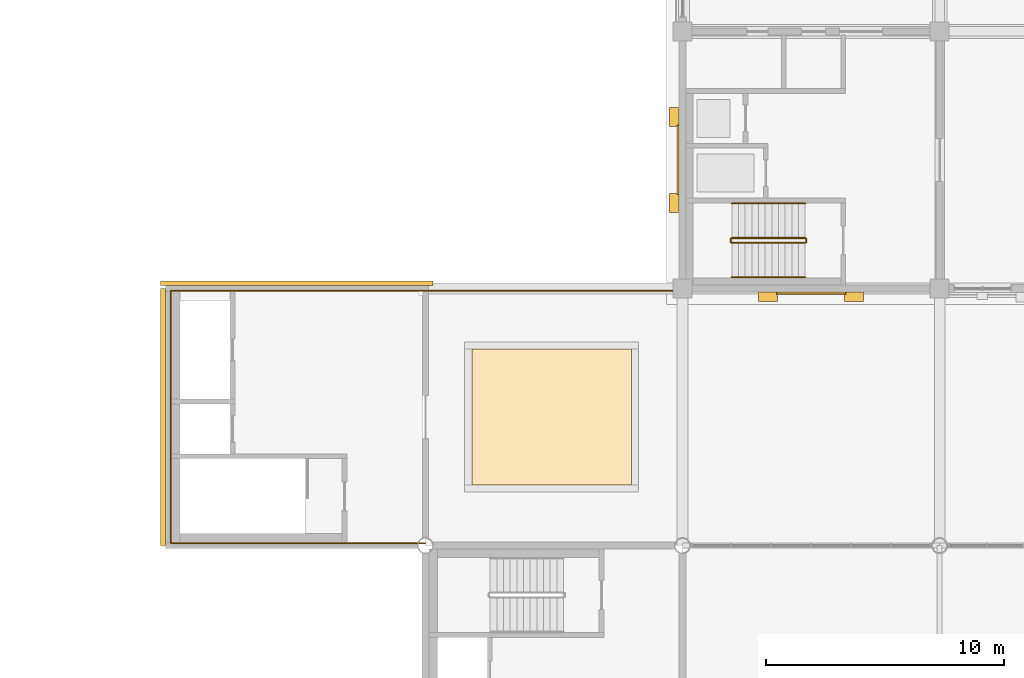
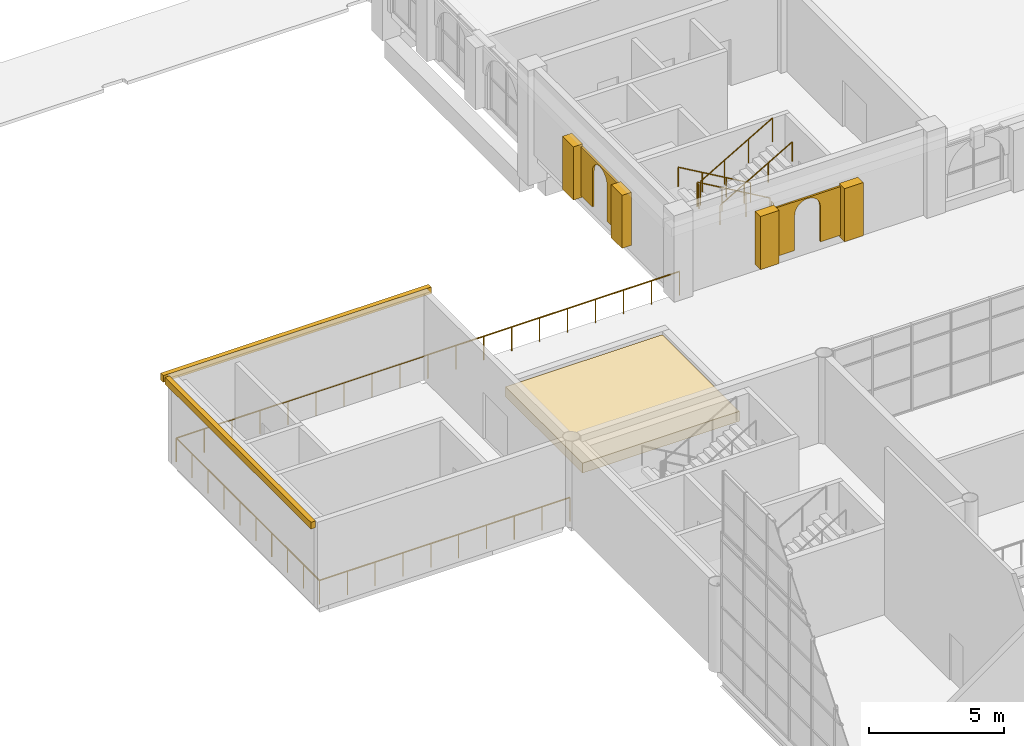
# One storey, part 88 of 95: 9 coverings, 7 railings.
"""IFC4 building model written with IfcOpenShell, lengths in metres."""

from ifc_helpers import new_model, si_unit, direction, frame, origin, origin_2d, place, context, subcontext, project, spatial, polyline, rectangle, circle, outline, extrude, material, layer, layer_set, type_object, element, save


model = new_model("IFC4")

# Units and contexts
model_context = context("Model", 3, precision=1e-05, world=origin(), true_north=direction((0.0, 1.0)))
body_context = subcontext(model_context, "Body", "Model", "MODEL_VIEW")
ifc_project = project(units=[si_unit("LENGTHUNIT", "METRE"), si_unit("AREAUNIT", "SQUARE_METRE"), si_unit("VOLUMEUNIT", "CUBIC_METRE"), si_unit("PLANEANGLEUNIT", "RADIAN"), si_unit("MASSUNIT", "GRAM", prefix="KILO")], contexts=[model_context])

# Site, building, storey
site_placement = place(None, origin())
site = spatial("IfcSite", under=ifc_project, at=site_placement, CompositionType="ELEMENT")
building_placement = place(site_placement, origin())
building = spatial("IfcBuilding", under=site, at=building_placement, Name="Magnolia Steps Interchange", CompositionType="ELEMENT")
storey_placement = place(building_placement, frame((0.0, 0.0, 4.800048828125)))
storey = spatial("IfcBuildingStorey", under=building, at=storey_placement, Name="L01", CompositionType="ELEMENT", Elevation=4.800048828125)

# Coverings
ifc_material_1 = material(Name="Lime render")
ifc_layer_1 = layer(ifc_material_1, 0.080078125)
ifc_layer_set_1 = layer_set([ifc_layer_1], Name="Lime render arch infill")
covering_type_1 = type_object("IfcCoveringType", Name="Lime render arch infill", PredefinedType="CLADDING", material=ifc_layer_set_1)
covering_1_placement = place(storey_placement, frame((67.949951171875, 96.25, 0.39990234375), z_axis=(0.0, 1.0, 0.0), x_axis=(0.0, 0.0, 1.0)))
element("IfcCovering", 1, at=covering_1_placement, inside=storey, type_object=covering_type_1, Name="Arched niche OC-W L01 S", PredefinedType="CLADDING", context=body_context, shape_type="SweptSolid", body=[
    extrude(outline(polyline([(0.0, 0.0), (2.199951172, 0.0), (2.199951172, 2.900146484), (0.0, 2.900146484), (0.0, 2.0), (1.600097656, 2.0), (1.742431641, 1.981445312), (1.875, 1.926269531), (1.989013672, 1.838867188), (2.076416016, 1.725097656), (2.131347656, 1.592529297), (2.150146484, 1.449951172), (2.131347656, 1.307617188), (2.076416016, 1.175048828), (1.989013672, 1.061035156), (1.875, 0.973632812), (1.742431641, 0.918701172), (1.600097656, 0.900146484), (0.0, 0.900146484), (0.0, 0.0)])), origin(), (0.0, 0.0, -1.0), 0.080078125),
])
covering_2_placement = place(storey_placement, frame((63.85009765625, 101.25, 0.39990234375), z_axis=(1.0, 0.0, 0.0), x_axis=(0.0, 0.0, 1.0)))
element("IfcCovering", 2, at=covering_2_placement, inside=storey, type_object=covering_type_1, Name="Arched niche OC-W L01 W", PredefinedType="CLADDING", context=body_context, shape_type="SweptSolid", body=[
    extrude(outline(polyline([(0.0, 0.0), (1.600097656, 0.0), (1.742431641, -0.018798828), (1.875, -0.073730469), (1.989013672, -0.161132812), (2.076416016, -0.274902344), (2.131347656, -0.407714844), (2.150146484, -0.550048828), (2.131347656, -0.692382812), (2.076416016, -0.824951172), (1.989013672, -0.938964844), (1.875, -1.026367188), (1.742431641, -1.081298828), (1.600097656, -1.100097656), (0.0, -1.100097656), (0.0, -2.0), (2.199951172, -2.0), (2.199951172, 0.899902344), (0.0, 0.899902344), (0.0, 0.0)])), origin(), (0.0, 0.0, -1.0), 0.080078125),
])
ifc_material_2 = material(Name="Lime render")
ifc_layer_2 = layer(ifc_material_2, 0.199951171875)
ifc_layer_set_2 = layer_set([ifc_layer_2], Name="Lime render cornice")
covering_type_2 = type_object("IfcCoveringType", Name="Lime render cornice", PredefinedType="CLADDING", material=ifc_layer_set_2)
covering_3_placement = place(storey_placement, frame((47.800048828125, 96.625, 3.60009765625), z_axis=(0.0, 0.0, 1.0), x_axis=(1.0, 0.0, 0.0)))
element("IfcCovering", 3, at=covering_3_placement, inside=storey, type_object=covering_type_2, Name="Cornice WC-W N", PredefinedType="CLADDING", context=body_context, shape_type="SweptSolid", body=[
    extrude(rectangle(XDim=11.449951171875, YDim=0.199951171875, at=origin_2d()), origin(), (0.0, 0.0, 1.0), 0.300048828125),
])
covering_4_placement = place(storey_placement, frame((42.175048828125, 91.0, 3.60009765625), z_axis=(0.0, 0.0, 1.0), x_axis=(1.0, 0.0, 0.0)))
element("IfcCovering", 4, at=covering_4_placement, inside=storey, type_object=covering_type_2, Name="Cornice WC-W W", PredefinedType="CLADDING", context=body_context, shape_type="SweptSolid", body=[
    extrude(rectangle(XDim=0.199951171875, YDim=10.800048828125, at=origin_2d()), origin(), (0.0, 0.0, 1.0), 0.300048828125),
])
ifc_material_3 = material(Name="Lime render")
ifc_layer_3 = layer(ifc_material_3, 0.39990234375)
ifc_layer_set_3 = layer_set([ifc_layer_3], Name="Lime render pilaster")
covering_type_3 = type_object("IfcCoveringType", Name="Lime render pilaster", PredefinedType="CLADDING", material=ifc_layer_set_3)
for number, where, z_axis, x_axis, name in (
    (5, (67.60009765625, 96.050048828125, 0.300048828125), (0.0, 0.0, 1.0), (1.0, 0.0, 0.0), "Core pilaster OC-W L01 S 1"),
    (6, (71.199951171875, 96.050048828125, 0.300048828125), (0.0, 0.0, 1.0), (1.0, 0.0, 0.0), "Core pilaster OC-W L01 S 2"),
):
    element("IfcCovering", number, at=place(storey_placement, frame(where, z_axis=z_axis, x_axis=x_axis)), inside=storey, type_object=covering_type_3, Name=name, PredefinedType="CLADDING", context=body_context, shape_type="SweptSolid", body=[
        extrude(rectangle(XDim=0.800048828125, YDim=0.39990234375, at=origin_2d()), origin(), (0.0, 0.0, 1.0), 2.39990234375),
    ])
for number, where, z_axis, x_axis, name in (
    (7, (63.64990234375, 100.0, 0.300048828125), (0.0, 0.0, 1.0), (1.0, 0.0, 0.0), "Core pilaster OC-W L01 W 1"),
    (8, (63.64990234375, 103.60009765625, 0.300048828125), (0.0, 0.0, 1.0), (1.0, 0.0, 0.0), "Core pilaster OC-W L01 W 2"),
):
    element("IfcCovering", number, at=place(storey_placement, frame(where, z_axis=z_axis, x_axis=x_axis)), inside=storey, type_object=covering_type_3, Name=name, PredefinedType="CLADDING", context=body_context, shape_type="SweptSolid", body=[
        extrude(rectangle(XDim=0.39990234375, YDim=0.800048828125, at=origin_2d()), origin(), (0.0, 0.0, 1.0), 2.39990234375),
    ])
ifc_material_4 = material(Name="Planting soil")
ifc_layer_4 = layer(ifc_material_4, 0.449951171875)
ifc_layer_set_4 = layer_set([ifc_layer_4], Name="Planting soil 450")
covering_type_4 = type_object("IfcCoveringType", Name="Planting soil 450", PredefinedType="FLOORING", material=ifc_layer_set_4)
covering_5_placement = place(storey_placement, frame((58.5, 91.0, 0.0), z_axis=(0.0, 0.0, 1.0), x_axis=(1.0, 0.0, 0.0)))
element("IfcCovering", 9, at=covering_5_placement, inside=storey, type_object=covering_type_4, Name="Deck garden bed 1 planting soil", PredefinedType="FLOORING", context=body_context, shape_type="SweptSolid", body=[
    extrude(rectangle(XDim=6.699951171875, YDim=5.699951171875, at=origin_2d()), origin(), (0.0, 0.0, 1.0), 0.449951171875),
])

# Railings
ifc_material_5 = material(Name="Stainless steel grade 304", Category="steel")
railing_type_1 = type_object("IfcRailingType", Name="Stair guard 1100", PredefinedType="GUARDRAIL", material=ifc_material_5)
railing_1_placement = place(storey_placement, frame((69.14990234375, 98.52392578125, 0.162353515625)))
element("IfcRailing", 10, at=railing_1_placement, inside=storey, type_object=railing_type_1, Name="L01 ST28 stair guard 1", PredefinedType="GUARDRAIL", context=body_context, shape_type="SweptSolid", body=[
    extrude(circle(Radius=0.02392578125, at=origin_2d()), frame((0.0, 0.0, 1.076171875), z_axis=(-0.864873446163, 0.0, 0.501989962173), x_axis=(0.0, -1.0, 0.0)), (0.0, 0.0, 1.0), 3.56103515625),
    extrude(circle(Radius=0.02099609375, at=origin_2d()), origin(), (0.0, 0.0, 1.0), 1.052001953125),
    extrude(circle(Radius=0.02099609375, at=origin_2d()), frame((-1.026611328125, 0.0, 0.595947265625)), (0.0, 0.0, 1.0), 1.052001953125),
    extrude(circle(Radius=0.02099609375, at=origin_2d()), frame((-2.05322265625, 0.0, 1.191650390625)), (0.0, 0.0, 1.0), 1.052001953125),
    extrude(circle(Radius=0.02099609375, at=origin_2d()), frame((-3.079833984375, 0.0, 1.78759765625)), (0.0, 0.0, 1.0), 1.052001953125),
])
railing_2_placement = place(storey_placement, frame((66.02001953125, 98.5, 1.949951171875)))
element("IfcRailing", 11, at=railing_2_placement, inside=storey, type_object=railing_type_1, Name="L01 ST28 stair guard 2", PredefinedType="GUARDRAIL", context=body_context, shape_type="SweptSolid", body=[
    extrude(circle(Radius=0.02392578125, at=origin_2d()), frame((0.0, 0.0, 1.076171875), z_axis=(0.0, -1.0, 0.0), x_axis=(1.0, 0.0, 0.0)), (0.0, 0.0, 1.0), 0.14990234375),
    extrude(circle(Radius=0.02099609375, at=origin_2d()), origin(), (0.0, 0.0, 1.0), 1.052001953125),
    extrude(circle(Radius=0.02099609375, at=origin_2d()), frame((0.0, -0.14990234375, 0.0)), (0.0, 0.0, 1.0), 1.052001953125),
])
railing_3_placement = place(storey_placement, frame((66.070068359375, 98.325927734375, 2.112548828125)))
element("IfcRailing", 12, at=railing_3_placement, inside=storey, type_object=railing_type_1, Name="L01 ST28 stair guard 3", PredefinedType="GUARDRAIL", context=body_context, shape_type="SweptSolid", body=[
    extrude(circle(Radius=0.02392578125, at=origin_2d()), frame((0.0, 0.0, 1.076171875), z_axis=(0.864903211148, 0.0, 0.501938676878), x_axis=(0.0, 1.0, 0.0)), (0.0, 0.0, 1.0), 3.560791015625),
    extrude(circle(Radius=0.02099609375, at=origin_2d()), origin(), (0.0, 0.0, 1.0), 1.052001953125),
    extrude(circle(Radius=0.02099609375, at=origin_2d()), frame((1.026611328125, 0.0, 0.595703125)), (0.0, 0.0, 1.0), 1.052001953125),
    extrude(circle(Radius=0.02099609375, at=origin_2d()), frame((2.05322265625, 0.0, 1.191650390625)), (0.0, 0.0, 1.0), 1.052001953125),
    extrude(circle(Radius=0.02099609375, at=origin_2d()), frame((3.079833984375, 0.0, 1.787353515625)), (0.0, 0.0, 1.0), 1.052001953125),
])
railing_4_placement = place(storey_placement, frame((69.199951171875, 98.5, 0.0)))
element("IfcRailing", 13, at=railing_4_placement, inside=storey, type_object=railing_type_1, Name="L01 ST28 stair guard 4", PredefinedType="GUARDRAIL", context=body_context, shape_type="SweptSolid", body=[
    extrude(circle(Radius=0.02392578125, at=origin_2d()), frame((0.0, 0.0, 1.076171875), z_axis=(0.0, -1.0, 0.0), x_axis=(1.0, 0.0, 0.0)), (0.0, 0.0, 1.0), 0.14990234375),
    extrude(circle(Radius=0.02099609375, at=origin_2d()), origin(), (0.0, 0.0, 1.0), 1.052001953125),
    extrude(circle(Radius=0.02099609375, at=origin_2d()), frame((0.0, -0.14990234375, 0.0)), (0.0, 0.0, 1.0), 1.052001953125),
])
ifc_material_6 = material(Name="Stainless steel grade 304", Category="steel")
railing_type_2 = type_object("IfcRailingType", Name="Stair handrail 900", PredefinedType="HANDRAIL", material=ifc_material_6)
railing_5_placement = place(storey_placement, frame((69.14990234375, 99.97607421875, 0.162353515625)))
element("IfcRailing", 14, at=railing_5_placement, inside=storey, type_object=railing_type_2, Name="L01 ST28 stair handrail 1", PredefinedType="HANDRAIL", context=body_context, shape_type="SweptSolid", body=[
    extrude(circle(Radius=0.02392578125, at=origin_2d()), frame((0.0, 0.0, 0.8759765625), z_axis=(-0.864873446163, 0.0, 0.501989962173), x_axis=(0.0, -1.0, 0.0)), (0.0, 0.0, 1.0), 3.56103515625),
    extrude(circle(Radius=0.02099609375, at=origin_2d()), origin(), (0.0, 0.0, 1.0), 0.851806640625),
    extrude(circle(Radius=0.02099609375, at=origin_2d()), frame((-1.026611328125, 0.0, 0.595947265625)), (0.0, 0.0, 1.0), 0.851806640625),
    extrude(circle(Radius=0.02099609375, at=origin_2d()), frame((-2.05322265625, 0.0, 1.191650390625)), (0.0, 0.0, 1.0), 0.851806640625),
    extrude(circle(Radius=0.02099609375, at=origin_2d()), frame((-3.079833984375, 0.0, 1.78759765625)), (0.0, 0.0, 1.0), 0.851806640625),
])
railing_6_placement = place(storey_placement, frame((66.070068359375, 96.8740234375, 2.112548828125)))
element("IfcRailing", 15, at=railing_6_placement, inside=storey, type_object=railing_type_2, Name="L01 ST28 stair handrail 2", PredefinedType="HANDRAIL", context=body_context, shape_type="SweptSolid", body=[
    extrude(circle(Radius=0.02392578125, at=origin_2d()), frame((0.0, 0.0, 0.8759765625), z_axis=(0.864903211148, 0.0, 0.501938676878), x_axis=(0.0, 1.0, 0.0)), (0.0, 0.0, 1.0), 3.560791015625),
    extrude(circle(Radius=0.02099609375, at=origin_2d()), origin(), (0.0, 0.0, 1.0), 0.851806640625),
    extrude(circle(Radius=0.02099609375, at=origin_2d()), frame((1.026611328125, 0.0, 0.595703125)), (0.0, 0.0, 1.0), 0.851806640625),
    extrude(circle(Radius=0.02099609375, at=origin_2d()), frame((2.05322265625, 0.0, 1.191650390625)), (0.0, 0.0, 1.0), 0.851806640625),
    extrude(circle(Radius=0.02099609375, at=origin_2d()), frame((3.079833984375, 0.0, 1.787353515625)), (0.0, 0.0, 1.0), 0.851806640625),
])
ifc_material_7 = material(Name="Painted steel Q355B", Category="steel")
railing_type_3 = type_object("IfcRailingType", Name="Steel balustrade guard 1100", PredefinedType="GUARDRAIL", material=ifc_material_7)
railing_7_placement = place(storey_placement, frame((53.199951171875, 85.699951171875, 0.0)))
element("IfcRailing", 16, at=railing_7_placement, inside=storey, type_object=railing_type_3, Name="Raised deck guard west", PredefinedType="GUARDRAIL", context=body_context, shape_type="SweptSolid", body=[
    extrude(circle(Radius=0.030029296875, at=origin_2d()), frame((0.0, 0.0, 1.070068359375), z_axis=(-1.0, 0.0, 0.0), x_axis=(0.0, -1.0, 0.0)), (0.0, 0.0, 1.0), 10.699951171875),
    extrude(circle(Radius=0.030029296875, at=origin_2d()), frame((-10.699951171875, 0.0, 1.070068359375), z_axis=(0.0, 1.0, 0.0), x_axis=(-1.0, 0.0, 0.0)), (0.0, 0.0, 1.0), 10.60009765625),
    extrude(circle(Radius=0.030029296875, at=origin_2d()), frame((-10.699951171875, 10.60009765625, 1.070068359375), z_axis=(1.0, 0.0, 0.0), x_axis=(0.0, 1.0, 0.0)), (0.0, 0.0, 1.0), 21.5),
    extrude(circle(Radius=0.02001953125, at=origin_2d()), origin(), (0.0, 0.0, 1.0), 1.0400390625),
    extrude(circle(Radius=0.02001953125, at=origin_2d()), frame((-1.18896484375, 0.0, 0.0)), (0.0, 0.0, 1.0), 1.0400390625),
    extrude(circle(Radius=0.02001953125, at=origin_2d()), frame((-2.377685546875, 0.0, 0.0)), (0.0, 0.0, 1.0), 1.0400390625),
    extrude(circle(Radius=0.02001953125, at=origin_2d()), frame((-3.566650390625, 0.0, 0.0)), (0.0, 0.0, 1.0), 1.0400390625),
    extrude(circle(Radius=0.02001953125, at=origin_2d()), frame((-4.755615234375, 0.0, 0.0)), (0.0, 0.0, 1.0), 1.0400390625),
    extrude(circle(Radius=0.02001953125, at=origin_2d()), frame((-5.9443359375, 0.0, 0.0)), (0.0, 0.0, 1.0), 1.0400390625),
    extrude(circle(Radius=0.02001953125, at=origin_2d()), frame((-7.13330078125, 0.0, 0.0)), (0.0, 0.0, 1.0), 1.0400390625),
    extrude(circle(Radius=0.02001953125, at=origin_2d()), frame((-8.322265625, 0.0, 0.0)), (0.0, 0.0, 1.0), 1.0400390625),
    extrude(circle(Radius=0.02001953125, at=origin_2d()), frame((-9.510986328125, 0.0, 0.0)), (0.0, 0.0, 1.0), 1.0400390625),
    extrude(circle(Radius=0.02001953125, at=origin_2d()), frame((-10.699951171875, 0.0, 0.0)), (0.0, 0.0, 1.0), 1.0400390625),
    extrude(circle(Radius=0.02001953125, at=origin_2d()), frame((-10.699951171875, 1.177734375, 0.0)), (0.0, 0.0, 1.0), 1.0400390625),
    extrude(circle(Radius=0.02001953125, at=origin_2d()), frame((-10.699951171875, 2.35546875, 0.0)), (0.0, 0.0, 1.0), 1.0400390625),
    extrude(circle(Radius=0.02001953125, at=origin_2d()), frame((-10.699951171875, 3.533447265625, 0.0)), (0.0, 0.0, 1.0), 1.0400390625),
    extrude(circle(Radius=0.02001953125, at=origin_2d()), frame((-10.699951171875, 4.711181640625, 0.0)), (0.0, 0.0, 1.0), 1.0400390625),
    extrude(circle(Radius=0.02001953125, at=origin_2d()), frame((-10.699951171875, 5.888916015625, 0.0)), (0.0, 0.0, 1.0), 1.0400390625),
    extrude(circle(Radius=0.02001953125, at=origin_2d()), frame((-10.699951171875, 7.066650390625, 0.0)), (0.0, 0.0, 1.0), 1.0400390625),
    extrude(circle(Radius=0.02001953125, at=origin_2d()), frame((-10.699951171875, 8.24462890625, 0.0)), (0.0, 0.0, 1.0), 1.0400390625),
    extrude(circle(Radius=0.02001953125, at=origin_2d()), frame((-10.699951171875, 9.42236328125, 0.0)), (0.0, 0.0, 1.0), 1.0400390625),
    extrude(circle(Radius=0.02001953125, at=origin_2d()), frame((-10.699951171875, 10.60009765625, 0.0)), (0.0, 0.0, 1.0), 1.0400390625),
    extrude(circle(Radius=0.02001953125, at=origin_2d()), frame((-9.505615234375, 10.60009765625, 0.0)), (0.0, 0.0, 1.0), 1.0400390625),
    extrude(circle(Radius=0.02001953125, at=origin_2d()), frame((-8.31103515625, 10.60009765625, 0.0)), (0.0, 0.0, 1.0), 1.0400390625),
    extrude(circle(Radius=0.02001953125, at=origin_2d()), frame((-7.11669921875, 10.60009765625, 0.0)), (0.0, 0.0, 1.0), 1.0400390625),
    extrude(circle(Radius=0.02001953125, at=origin_2d()), frame((-5.922119140625, 10.60009765625, 0.0)), (0.0, 0.0, 1.0), 1.0400390625),
    extrude(circle(Radius=0.02001953125, at=origin_2d()), frame((-4.727783203125, 10.60009765625, 0.0)), (0.0, 0.0, 1.0), 1.0400390625),
    extrude(circle(Radius=0.02001953125, at=origin_2d()), frame((-3.533203125, 10.60009765625, 0.0)), (0.0, 0.0, 1.0), 1.0400390625),
    extrude(circle(Radius=0.02001953125, at=origin_2d()), frame((-2.3388671875, 10.60009765625, 0.0)), (0.0, 0.0, 1.0), 1.0400390625),
    extrude(circle(Radius=0.02001953125, at=origin_2d()), frame((-1.144287109375, 10.60009765625, 0.0)), (0.0, 0.0, 1.0), 1.0400390625),
    extrude(circle(Radius=0.02001953125, at=origin_2d()), frame((0.050048828125, 10.60009765625, 0.0)), (0.0, 0.0, 1.0), 1.0400390625),
    extrude(circle(Radius=0.02001953125, at=origin_2d()), frame((1.244384765625, 10.60009765625, 0.0)), (0.0, 0.0, 1.0), 1.0400390625),
    extrude(circle(Radius=0.02001953125, at=origin_2d()), frame((2.43896484375, 10.60009765625, 0.0)), (0.0, 0.0, 1.0), 1.0400390625),
    extrude(circle(Radius=0.02001953125, at=origin_2d()), frame((3.63330078125, 10.60009765625, 0.0)), (0.0, 0.0, 1.0), 1.0400390625),
    extrude(circle(Radius=0.02001953125, at=origin_2d()), frame((4.827880859375, 10.60009765625, 0.0)), (0.0, 0.0, 1.0), 1.0400390625),
    extrude(circle(Radius=0.02001953125, at=origin_2d()), frame((6.022216796875, 10.60009765625, 0.0)), (0.0, 0.0, 1.0), 1.0400390625),
    extrude(circle(Radius=0.02001953125, at=origin_2d()), frame((7.216796875, 10.60009765625, 0.0)), (0.0, 0.0, 1.0), 1.0400390625),
    extrude(circle(Radius=0.02001953125, at=origin_2d()), frame((8.4111328125, 10.60009765625, 0.0)), (0.0, 0.0, 1.0), 1.0400390625),
    extrude(circle(Radius=0.02001953125, at=origin_2d()), frame((9.605712890625, 10.60009765625, 0.0)), (0.0, 0.0, 1.0), 1.0400390625),
    extrude(circle(Radius=0.02001953125, at=origin_2d()), frame((10.800048828125, 10.60009765625, 0.0)), (0.0, 0.0, 1.0), 1.0400390625),
])

save(model, "model.ifc")
